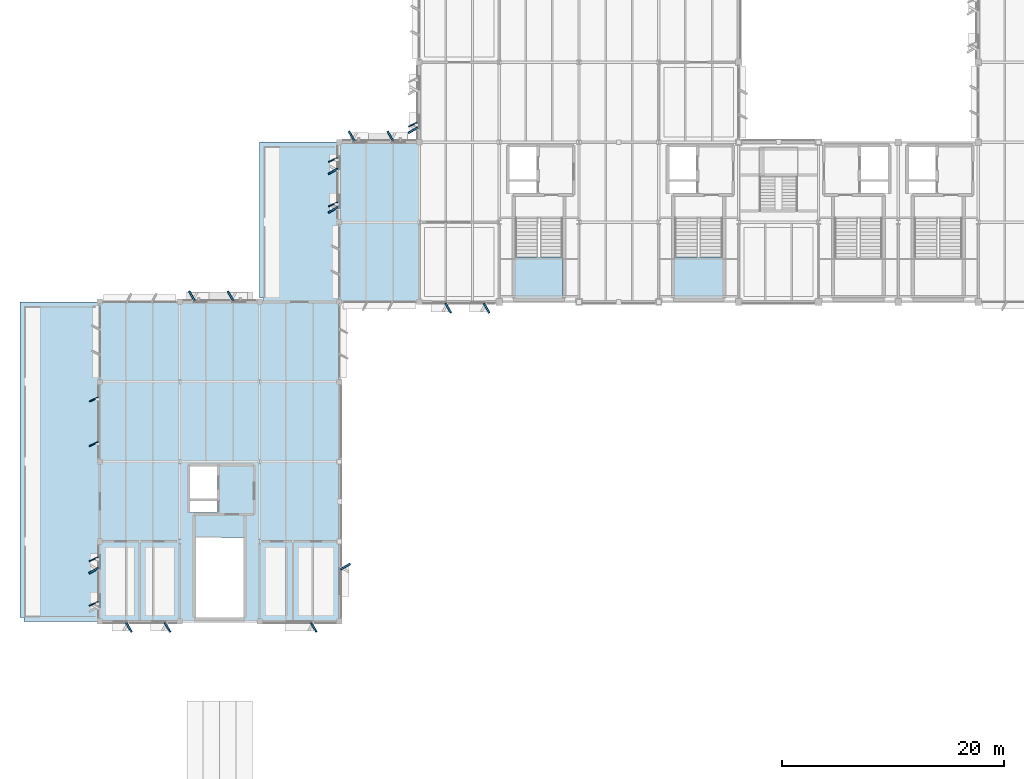
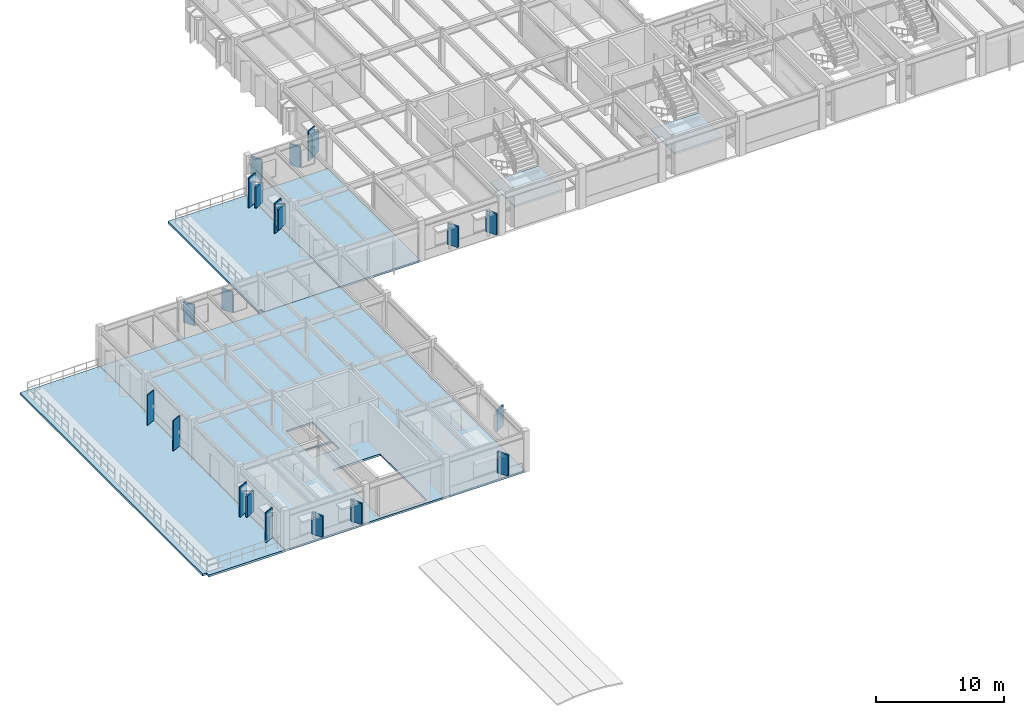
# One storey, part 8 of 35: 21 plates, 6 slabs, 2 elements without a shape of their own.
"""IFC4 building model written with IfcOpenShell, lengths in metres."""

from ifc_helpers import new_model, si_unit, direction, frame, origin, origin_2d, place, context, subcontext, project, spatial, polyline, rectangle, outline, extrude, material, layer, layer_set, type_object, element, aggregate, save


model = new_model("IFC4")

# Units and contexts
model_context = context("Model", 3, precision=1e-05, world=origin(), true_north=direction((0.0, 1.0)))
body_context = subcontext(model_context, "Body", "Model", "MODEL_VIEW")
ifc_project = project(units=[si_unit("LENGTHUNIT", "METRE"), si_unit("AREAUNIT", "SQUARE_METRE"), si_unit("VOLUMEUNIT", "CUBIC_METRE"), si_unit("PLANEANGLEUNIT", "RADIAN"), si_unit("MASSUNIT", "GRAM", prefix="KILO")], contexts=[model_context])

# Site, building, storey
site_placement = place(None, origin())
site = spatial("IfcSite", under=ifc_project, at=site_placement, CompositionType="ELEMENT")
building_placement = place(site_placement, origin())
building = spatial("IfcBuilding", under=site, at=building_placement, Name="Sillqori Civic Hall", CompositionType="ELEMENT")
storey_placement = place(building_placement, frame((0.0, 0.0, 18.0)))
storey = spatial("IfcBuildingStorey", under=building, at=storey_placement, Name="L05", CompositionType="ELEMENT", Elevation=18.0)

# Plates
ifc_material_1 = material(Name="Precast concrete C40/50 (H40)", Category="concrete")
ifc_layer_1 = layer(ifc_material_1, 0.159912109375)
ifc_layer_set_1 = layer_set([ifc_layer_1], Name="Precast concrete C40/50 (H40)")
plate_type_1 = type_object("IfcPlateType", Name="FIN-WEST-350", PredefinedType="USERDEFINED", material=ifc_layer_set_1)
for number, where, z_axis, x_axis, name in (
    (1, (13.85498046875, 51.989990234375, 0.14990234375), (0.0, 0.0, 1.0), (-0.422618261741, 0.906307787037, 0.0), "L05 west brise-soleil fin L05-02-07-W.1"),
    (2, (13.85498046875, 56.010009765625, 0.14990234375), (0.0, 0.0, 1.0), (-0.422618261741, 0.906307787037, 0.0), "L05 west brise-soleil fin L05-02-07-W.2"),
    (3, (13.85498046875, 66.389892578125, 0.14990234375), (0.0, 0.0, 1.0), (-0.422618261741, 0.906307787037, 0.0), "L05 west brise-soleil fin L05-02-09-W.1"),
    (4, (13.85498046875, 70.409912109375, 0.14990234375), (0.0, 0.0, 1.0), (-0.422618261741, 0.906307787037, 0.0), "L05 west brise-soleil fin L05-02-09-W.2"),
    (5, (35.43505859375, 87.989990234375, 0.14990234375), (0.0, 0.0, 1.0), (-0.422618261741, 0.906307787037, 0.0), "L05 west brise-soleil fin L05-05-12-W.1"),
    (6, (35.43505859375, 92.010009765625, 0.14990234375), (0.0, 0.0, 1.0), (-0.422618261741, 0.906307787037, 0.0), "L05 west brise-soleil fin L05-05-12-W.2"),
    (7, (42.635009765625, 95.18994140625, 0.14990234375), (0.0, 0.0, 1.0), (-0.422618261741, 0.906307787037, 0.0), "L05 west brise-soleil fin L05-06-13-W.1"),
):
    element("IfcPlate", number, at=place(storey_placement, frame(where, z_axis=z_axis, x_axis=x_axis)), inside=storey, type_object=plate_type_1, Name=name, ObjectType="SOLAR_FIN", PredefinedType="USERDEFINED", context=body_context, shape_type="SweptSolid", body=[
        extrude(rectangle(XDim=0.090087890625, YDim=0.8798828125, at=origin_2d()), origin(), (0.0, 0.0, 1.0), 2.8720703125),
    ])
ifc_layer_2 = layer(ifc_material_1, 0.159912109375)
ifc_layer_set_2 = layer_set([ifc_layer_2], Name="Precast concrete C40/50 (H40)")
plate_type_2 = type_object("IfcPlateType", Name="REV-SAW-200", PredefinedType="USERDEFINED", material=ifc_layer_set_2)
for number, where, z_axis, x_axis, name in (
    (8, (20.501953125, 49.860107421875, 0.800048828125), (0.0, 0.0, 1.0), (-0.866025403784, -0.5, 0.0), "Sawtooth stone window reveal L05-02-07-S.1"),
    (9, (17.01806640625, 49.860107421875, 0.800048828125), (0.0, 0.0, 1.0), (-0.866025403784, -0.5, 0.0), "Sawtooth stone window reveal L05-02-07-S.2"),
    (10, (13.860107421875, 54.98193359375, 0.800048828125), (0.0, 0.0, 1.0), (-0.5, 0.866025403784, 0.0), "Sawtooth stone window reveal L05-02-07-W.2"),
    (11, (22.697998046875, 79.739990234375, 0.800048828125), (0.0, 0.0, 1.0), (0.866025403784, 0.5, 0.0), "Sawtooth stone window reveal L05-03-10-N.1"),
    (12, (26.181884765625, 79.739990234375, 0.800048828125), (0.0, 0.0, 1.0), (0.866025403784, 0.5, 0.0), "Sawtooth stone window reveal L05-03-10-N.2"),
    (13, (33.68505859375, 49.860107421875, 0.77490234375), (0.0, 0.0, 1.0), (-0.866025403784, -0.5, 0.0), "Sawtooth stone window reveal L05-04-07-S.1"),
    (14, (36.5400390625, 55.3349609375, 0.77490234375), (0.0, 0.0, 1.0), (0.5, -0.866025403784, 0.0), "Sawtooth stone window reveal L05-04-07-E.1"),
    (15, (37.097900390625, 94.159912109375, 0.800048828125), (0.0, 0.0, 1.0), (0.866025403784, 0.5, 0.0), "Sawtooth stone window reveal L05-05-12-N.1"),
    (16, (40.58203125, 94.159912109375, 0.800048828125), (0.0, 0.0, 1.0), (0.866025403784, 0.5, 0.0), "Sawtooth stone window reveal L05-05-12-N.2"),
    (17, (35.43994140625, 87.498046875, 0.800048828125), (0.0, 0.0, 1.0), (-0.5, 0.866025403784, 0.0), "Sawtooth stone window reveal L05-05-12-W.1"),
    (18, (35.43994140625, 90.98193359375, 0.800048828125), (0.0, 0.0, 1.0), (-0.5, 0.866025403784, 0.0), "Sawtooth stone window reveal L05-05-12-W.2"),
    (19, (49.263916015625, 78.639892578125, 0.800048828125), (0.0, 0.0, 1.0), (-0.866025403784, -0.5, 0.0), "Sawtooth stone window reveal L05-06-11-S.1"),
    (20, (45.805908203125, 78.639892578125, 0.800048828125), (0.0, 0.0, 1.0), (-0.866025403784, -0.5, 0.0), "Sawtooth stone window reveal L05-06-11-S.2"),
    (21, (42.639892578125, 94.673095703125, 0.875), (0.0, 0.0, 1.0), (-0.5, 0.866025403784, 0.0), "Sawtooth stone window reveal L05-06-13-W.1"),
):
    element("IfcPlate", number, at=place(storey_placement, frame(where, z_axis=z_axis, x_axis=x_axis)), inside=storey, type_object=plate_type_2, Name=name, ObjectType="REVEAL_PANEL", PredefinedType="USERDEFINED", context=body_context, shape_type="SweptSolid", body=[
        extrude(rectangle(XDim=0.159912109375, YDim=0.97998046875, at=origin_2d()), origin(), (0.0, 0.0, 1.0), 2.0),
    ])

# Slabs
ifc_material_2 = material(Name="Concrete C30/37 (H30)", Category="concrete")
ifc_layer_3 = layer(ifc_material_2, 0.179931640625)
ifc_layer_set_3 = layer_set([ifc_layer_3], Name="Concrete C30/37 (H30)")
slab_type_1 = type_object("IfcSlabType", Name="SLB-FLR-180", PredefinedType="FLOOR", material=ifc_layer_set_3)
slab_1_placement = place(storey_placement, frame((0.0, 0.0, -0.179931640625)))
element("IfcSlab", 22, at=slab_1_placement, inside=storey, type_object=slab_type_1, Name="L05 V4 composite floor slab 0.1", PredefinedType="FLOOR", context=body_context, shape_type="SweptSolid", body=[
    extrude(outline(polyline([(36.0, 79.199951171875), (36.0, 86.39990234375), (36.0, 93.60009765625), (43.199951171875, 93.60009765625), (43.199951171875, 86.39990234375), (43.199951171875, 79.199951171875), (36.0, 79.199951171875)])), origin(), (0.0, 0.0, 1.0), 0.179931640625),
])
slab_2_placement = place(storey_placement, frame((0.0, 0.0, -0.179931640625)))
element("IfcSlab", 23, at=slab_2_placement, inside=storey, type_object=slab_type_1, Name="L05 V5 composite floor slab 0.1", PredefinedType="FLOOR", context=body_context, shape_type="SweptSolid", body=[
    extrude(outline(polyline([(14.39990234375, 72.0), (14.39990234375, 79.199951171875), (21.60009765625, 79.199951171875), (28.800048828125, 79.199951171875), (36.0, 79.199951171875), (36.0, 72.0), (36.0, 64.800048828125), (36.0, 57.60009765625), (36.0, 50.39990234375), (28.800048828125, 50.39990234375), (21.60009765625, 50.39990234375), (14.39990234375, 50.39990234375), (14.39990234375, 57.60009765625), (14.39990234375, 64.800048828125), (14.39990234375, 72.0)]), holes=[polyline([(23.06005859375, 57.969970703125), (23.06005859375, 50.75), (27.340087890625, 50.75), (27.340087890625, 57.969970703125), (23.06005859375, 57.969970703125)]), polyline([(24.949951171875, 61.300048828125), (22.550048828125, 61.300048828125), (22.550048828125, 60.199951171875), (24.949951171875, 60.199951171875), (24.949951171875, 61.300048828125)]), polyline([(24.949951171875, 64.35009765625), (22.550048828125, 64.35009765625), (22.550048828125, 61.449951171875), (24.949951171875, 61.449951171875), (24.949951171875, 64.35009765625)])]), origin(), (0.0, 0.0, 1.0), 0.179931640625),
])

# Stair, slab
ifc_material_3 = material(Name="Concrete C35/45 (H35)", Category="concrete")
stair_type_1 = type_object("IfcStairType", Name="STR-CORE-05", PredefinedType="DOUBLE_RETURN_STAIR", material=ifc_material_3)
stair_1_placement = place(storey_placement, origin())
stair_1 = element("IfcStair", 24, at=stair_1_placement, inside=storey, type_object=stair_type_1, Name="L05 Core exit stair ST-05", PredefinedType="DOUBLE_RETURN_STAIR")
ifc_layer_4 = layer(ifc_material_3, 0.199951171875)
ifc_layer_set_4 = layer_set([ifc_layer_4], Name="Concrete C35/45 (H35)")
slab_type_2 = type_object("IfcSlabType", Name="SLB-LND-220", PredefinedType="LANDING", material=ifc_layer_set_4)
slab_3_placement = place(storey_placement, frame((0.0, 0.0, 1.75)))
slab_3 = element("IfcSlab", 25, at=slab_3_placement, type_object=slab_type_2, Name="ST-05 landing 1", PredefinedType="LANDING", context=body_context, shape_type="SweptSolid", body=[
    extrude(outline(polyline([(51.824951171875, 83.25), (51.824951171875, 79.514892578125), (56.175048828125, 79.514892578125), (56.175048828125, 83.25), (51.824951171875, 83.25)])), origin(), (0.0, 0.0, 1.0), 0.199951171875),
])
aggregate(stair_1, [slab_3])

stair_type_2 = type_object("IfcStairType", Name="STR-CORE-06", PredefinedType="DOUBLE_RETURN_STAIR", material=ifc_material_3)
stair_2_placement = place(storey_placement, origin())
stair_2 = element("IfcStair", 26, at=stair_2_placement, inside=storey, type_object=stair_type_2, Name="L05 Core exit stair ST-06", PredefinedType="DOUBLE_RETURN_STAIR")
slab_4_placement = place(storey_placement, frame((0.0, 0.0, 1.75)))
slab_4 = element("IfcSlab", 27, at=slab_4_placement, type_object=slab_type_2, Name="ST-06 landing 1", PredefinedType="LANDING", context=body_context, shape_type="SweptSolid", body=[
    extrude(outline(polyline([(66.22509765625, 83.25), (66.22509765625, 79.514892578125), (70.574951171875, 79.514892578125), (70.574951171875, 83.25), (66.22509765625, 83.25)])), origin(), (0.0, 0.0, 1.0), 0.199951171875),
])
aggregate(stair_2, [slab_4])

# Slabs
ifc_layer_5 = layer(ifc_material_3, 0.199951171875)
ifc_layer_set_5 = layer_set([ifc_layer_5], Name="Concrete C35/45 (H35)")
slab_type_3 = type_object("IfcSlabType", Name="SLB-TER-200", PredefinedType="FLOOR", material=ifc_layer_set_5)
slab_5_placement = place(storey_placement, frame((0.0, 0.0, -0.199951171875)))
element("IfcSlab", 28, at=slab_5_placement, inside=storey, type_object=slab_type_3, Name="West Directorate Roof Garden", PredefinedType="FLOOR", context=body_context, shape_type="SweptSolid", body=[
    extrude(outline(polyline([(7.199951171875, 79.199951171875), (14.39990234375, 79.199951171875), (14.39990234375, 50.39990234375), (7.550048828125, 50.39990234375), (7.550048828125, 50.75), (7.199951171875, 50.75), (7.199951171875, 79.199951171875)])), origin(), (0.0, 0.0, 1.0), 0.199951171875),
])
slab_6_placement = place(storey_placement, frame((0.0, 0.0, -0.199951171875)))
element("IfcSlab", 29, at=slab_6_placement, inside=storey, type_object=slab_type_3, Name="Engineering West Roof Garden", PredefinedType="FLOOR", context=body_context, shape_type="SweptSolid", body=[
    extrude(outline(polyline([(28.800048828125, 93.60009765625), (36.0, 93.60009765625), (36.0, 79.199951171875), (29.14990234375, 79.199951171875), (29.14990234375, 79.550048828125), (28.800048828125, 79.550048828125), (28.800048828125, 93.60009765625)])), origin(), (0.0, 0.0, 1.0), 0.199951171875),
])

save(model, "model.ifc")
